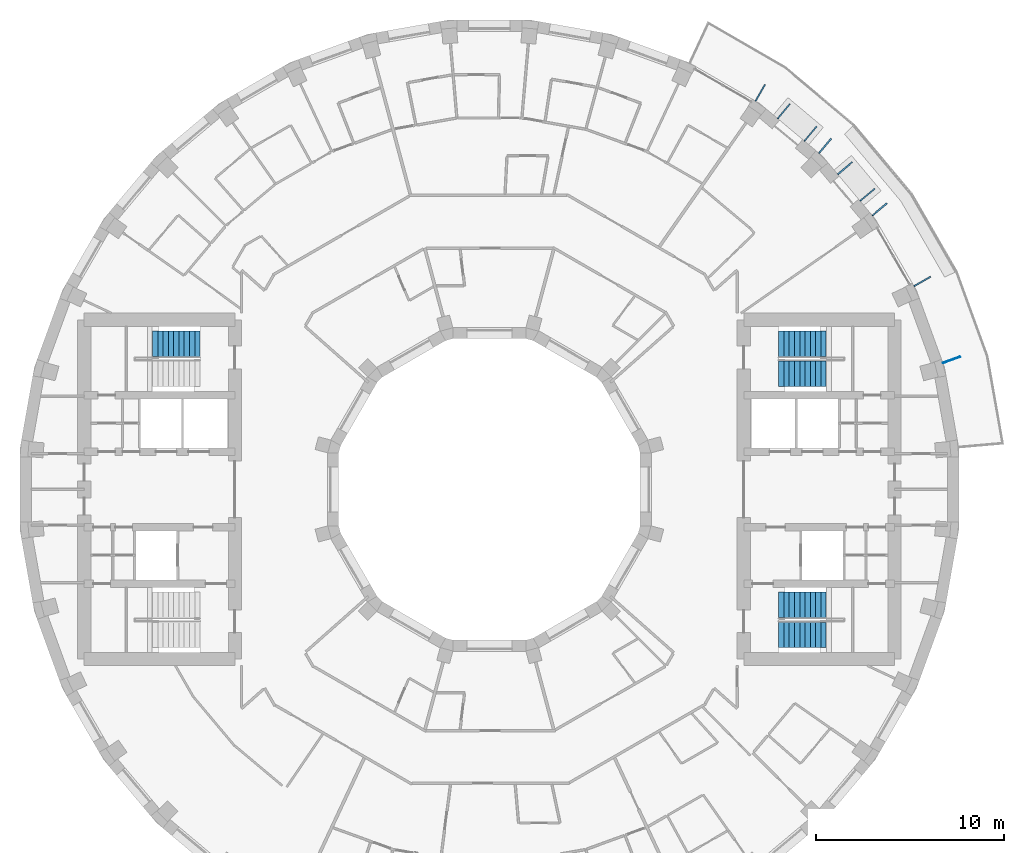
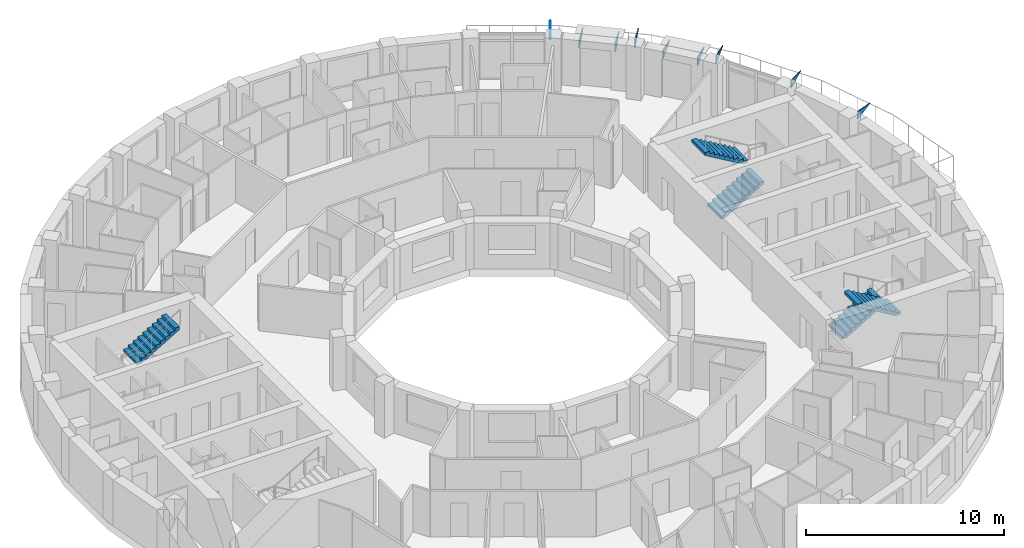
# One storey, part 14 of 15: 9 discrete accessories, 5 stair flights, 3 elements without a shape of their own.
"""IFC4 building model written with IfcOpenShell, lengths in metres."""

from ifc_helpers import new_model, si_unit, direction, frame, origin, place, context, subcontext, project, spatial, polyline, outline, extrude, material, layer, layer_set, type_object, element, aggregate, save


model = new_model("IFC4")

# Units and contexts
model_context = context("Model", 3, precision=1e-05, world=origin(), true_north=direction((0.0, 1.0)))
body_context = subcontext(model_context, "Body", "Model", "MODEL_VIEW")
ifc_project = project(units=[si_unit("LENGTHUNIT", "METRE"), si_unit("AREAUNIT", "SQUARE_METRE"), si_unit("VOLUMEUNIT", "CUBIC_METRE"), si_unit("PLANEANGLEUNIT", "RADIAN"), si_unit("MASSUNIT", "GRAM", prefix="KILO")], contexts=[model_context])

# Site, building, storey
site_placement = place(None, origin())
site = spatial("IfcSite", under=ifc_project, at=site_placement, CompositionType="ELEMENT")
building_placement = place(site_placement, origin())
building = spatial("IfcBuilding", under=site, at=building_placement, Name="Saqina Gate Tower", CompositionType="ELEMENT")
storey_placement = place(building_placement, frame((0.0, 0.0, 190.5)))
storey = spatial("IfcBuildingStorey", under=building, at=storey_placement, Name="L54", CompositionType="ELEMENT", Elevation=190.5)

# Stair, stair flights
ifc_material_1 = material(Name="Concrete C40/50", Category="concrete")
stair_type = type_object("IfcStairType", Name="EXIT STAIR", PredefinedType="HALF_TURN_STAIR", material=ifc_material_1)
stair_1_placement = place(storey_placement, origin())
stair_1 = element("IfcStair", 1, at=stair_1_placement, inside=storey, type_object=stair_type, Name="EXIT STAIR 1", PredefinedType="HALF_TURN_STAIR")
ifc_material_2 = material(Name="Concrete C40/50", Category="concrete")
stair_flight_type = type_object("IfcStairFlightType", Name="EXIT STAIR FLIGHT", PredefinedType="STRAIGHT", material=ifc_material_2)
stair_flight_1_placement = place(storey_placement, frame((15.35009765625, 6.125, 0.0), z_axis=(0.0, 0.0, 1.0), x_axis=(1.0, 0.0, 0.0)))
stair_flight_1 = element("IfcStairFlight", 2, at=stair_flight_1_placement, type_object=stair_flight_type, Name="EXIT STAIR 1 FLIGHT 1", NumberOfRisers=10, NumberOfTreads=9, PredefinedType="STRAIGHT", RiserHeight=0.165, TreadLength=0.28, context=body_context, shape_type="SweptSolid", body=[
    extrude(outline(polyline([(0.0, 0.0), (0.0, 0.1650390625), (0.280029296875, 0.1650390625), (0.280029296875, 0.330078125), (0.56005859375, 0.330078125), (0.56005859375, 0.4951171875), (0.840087890625, 0.4951171875), (0.840087890625, 0.659912109375), (1.1201171875, 0.659912109375), (1.1201171875, 0.824951171875), (1.39990234375, 0.824951171875), (1.39990234375, 0.989990234375), (1.679931640625, 0.989990234375), (1.679931640625, 1.155029296875), (1.9599609375, 1.155029296875), (1.9599609375, 1.320068359375), (2.239990234375, 1.320068359375), (2.239990234375, 1.485107421875), (2.52001953125, 1.485107421875), (2.52001953125, 1.64990234375), (2.52001953125, 1.31103515625), (0.295166015625, 0.0), (0.0, 0.0)])), frame((0.0, 0.675048828125, 0.0), z_axis=(0.0, -1.0, 0.0), x_axis=(1.0, 0.0, 0.0)), (0.0, 0.0, 1.0), 1.35009765625),
])
stair_flight_2_placement = place(storey_placement, frame((17.8701171875, 7.72509765625, 1.64990234375), z_axis=(0.0, 0.0, 1.0), x_axis=(-1.0, 0.0, 0.0)))
stair_flight_2 = element("IfcStairFlight", 3, at=stair_flight_2_placement, type_object=stair_flight_type, Name="EXIT STAIR 1 FLIGHT 2", NumberOfRisers=10, NumberOfTreads=9, PredefinedType="STRAIGHT", RiserHeight=0.165, TreadLength=0.28, context=body_context, shape_type="SweptSolid", body=[
    extrude(outline(polyline([(0.0, 0.0), (0.0, 0.1650390625), (0.280029296875, 0.1650390625), (0.280029296875, 0.330078125), (0.56005859375, 0.330078125), (0.56005859375, 0.4951171875), (0.840087890625, 0.4951171875), (0.840087890625, 0.659912109375), (1.1201171875, 0.659912109375), (1.1201171875, 0.824951171875), (1.39990234375, 0.824951171875), (1.39990234375, 0.989990234375), (1.679931640625, 0.989990234375), (1.679931640625, 1.155029296875), (1.9599609375, 1.155029296875), (1.9599609375, 1.320068359375), (2.239990234375, 1.320068359375), (2.239990234375, 1.485107421875), (2.52001953125, 1.485107421875), (2.52001953125, 1.64990234375), (2.52001953125, 1.31103515625), (0.295166015625, 0.0), (0.0, 0.0)])), frame((0.0, 0.675048828125, 0.0), z_axis=(0.0, -1.0, 0.0), x_axis=(1.0, 0.0, 0.0)), (0.0, 0.0, 1.0), 1.35009765625),
])
aggregate(stair_1, [stair_flight_1, stair_flight_2])

stair_2_placement = place(storey_placement, origin())
stair_2 = element("IfcStair", 4, at=stair_2_placement, inside=storey, type_object=stair_type, Name="EXIT STAIR 2", PredefinedType="HALF_TURN_STAIR")
stair_flight_3_placement = place(storey_placement, frame((15.35009765625, -6.125, 0.0), z_axis=(0.0, 0.0, 1.0), x_axis=(1.0, 0.0, 0.0)))
stair_flight_3 = element("IfcStairFlight", 5, at=stair_flight_3_placement, type_object=stair_flight_type, Name="EXIT STAIR 2 FLIGHT 1", NumberOfRisers=10, NumberOfTreads=9, PredefinedType="STRAIGHT", RiserHeight=0.165, TreadLength=0.28, context=body_context, shape_type="SweptSolid", body=[
    extrude(outline(polyline([(0.0, 0.0), (0.0, 0.1650390625), (0.280029296875, 0.1650390625), (0.280029296875, 0.330078125), (0.56005859375, 0.330078125), (0.56005859375, 0.4951171875), (0.840087890625, 0.4951171875), (0.840087890625, 0.659912109375), (1.1201171875, 0.659912109375), (1.1201171875, 0.824951171875), (1.39990234375, 0.824951171875), (1.39990234375, 0.989990234375), (1.679931640625, 0.989990234375), (1.679931640625, 1.155029296875), (1.9599609375, 1.155029296875), (1.9599609375, 1.320068359375), (2.239990234375, 1.320068359375), (2.239990234375, 1.485107421875), (2.52001953125, 1.485107421875), (2.52001953125, 1.64990234375), (2.52001953125, 1.31103515625), (0.295166015625, 0.0), (0.0, 0.0)])), frame((0.0, 0.675048828125, 0.0), z_axis=(0.0, -1.0, 0.0), x_axis=(1.0, 0.0, 0.0)), (0.0, 0.0, 1.0), 1.35009765625),
])
stair_flight_4_placement = place(storey_placement, frame((17.8701171875, -7.72509765625, 1.64990234375), z_axis=(0.0, 0.0, 1.0), x_axis=(-1.0, 0.0, 0.0)))
stair_flight_4 = element("IfcStairFlight", 6, at=stair_flight_4_placement, type_object=stair_flight_type, Name="EXIT STAIR 2 FLIGHT 2", NumberOfRisers=10, NumberOfTreads=9, PredefinedType="STRAIGHT", RiserHeight=0.165, TreadLength=0.28, context=body_context, shape_type="SweptSolid", body=[
    extrude(outline(polyline([(0.0, 0.0), (0.0, 0.1650390625), (0.280029296875, 0.1650390625), (0.280029296875, 0.330078125), (0.56005859375, 0.330078125), (0.56005859375, 0.4951171875), (0.840087890625, 0.4951171875), (0.840087890625, 0.659912109375), (1.1201171875, 0.659912109375), (1.1201171875, 0.824951171875), (1.39990234375, 0.824951171875), (1.39990234375, 0.989990234375), (1.679931640625, 0.989990234375), (1.679931640625, 1.155029296875), (1.9599609375, 1.155029296875), (1.9599609375, 1.320068359375), (2.239990234375, 1.320068359375), (2.239990234375, 1.485107421875), (2.52001953125, 1.485107421875), (2.52001953125, 1.64990234375), (2.52001953125, 1.31103515625), (0.295166015625, 0.0), (0.0, 0.0)])), frame((0.0, 0.675048828125, 0.0), z_axis=(0.0, -1.0, 0.0), x_axis=(1.0, 0.0, 0.0)), (0.0, 0.0, 1.0), 1.35009765625),
])
aggregate(stair_2, [stair_flight_3, stair_flight_4])

# Stair, stair flight
stair_3_placement = place(storey_placement, origin())
stair_3 = element("IfcStair", 7, at=stair_3_placement, inside=storey, type_object=stair_type, Name="EXIT STAIR 3", PredefinedType="HALF_TURN_STAIR")
stair_flight_5_placement = place(storey_placement, frame((-17.8701171875, 7.72509765625, 1.64990234375), z_axis=(0.0, 0.0, 1.0), x_axis=(1.0, 0.0, 0.0)))
stair_flight_5 = element("IfcStairFlight", 8, at=stair_flight_5_placement, type_object=stair_flight_type, Name="EXIT STAIR 3 FLIGHT 2", NumberOfRisers=10, NumberOfTreads=9, PredefinedType="STRAIGHT", RiserHeight=0.165, TreadLength=0.28, context=body_context, shape_type="SweptSolid", body=[
    extrude(outline(polyline([(0.0, 0.0), (0.0, 0.1650390625), (0.280029296875, 0.1650390625), (0.280029296875, 0.330078125), (0.56005859375, 0.330078125), (0.56005859375, 0.4951171875), (0.840087890625, 0.4951171875), (0.840087890625, 0.659912109375), (1.1201171875, 0.659912109375), (1.1201171875, 0.824951171875), (1.39990234375, 0.824951171875), (1.39990234375, 0.989990234375), (1.679931640625, 0.989990234375), (1.679931640625, 1.155029296875), (1.9599609375, 1.155029296875), (1.9599609375, 1.320068359375), (2.239990234375, 1.320068359375), (2.239990234375, 1.485107421875), (2.52001953125, 1.485107421875), (2.52001953125, 1.64990234375), (2.52001953125, 1.31103515625), (0.295166015625, 0.0), (0.0, 0.0)])), frame((0.0, 0.675048828125, 0.0), z_axis=(0.0, -1.0, 0.0), x_axis=(1.0, 0.0, 0.0)), (0.0, 0.0, 1.0), 1.35009765625),
])
aggregate(stair_3, [stair_flight_5])

# Discrete accessories
ifc_material_3 = material(Name="Galvanised steel", Category="steel")
ifc_layer_1 = layer(ifc_material_3, 0.050048828125)
ifc_layer_set_1 = layer_set([ifc_layer_1], Name="BR-AWNING")
discrete_accessory_type_1 = type_object("IfcDiscreteAccessoryType", Name="BR-AWNING", PredefinedType="BRACKET", material=ifc_layer_set_1)
for number, where, z_axis, x_axis, name in (
    (9, (19.65673828125, 15.319091796875, 1.97509765625), (-0.642894271969, 0.765954930181, 0.0), (0.0, 0.0, 1.0), "Awning bracket L54 facet 4"),
    (10, (18.4677734375, 16.736083984375, 1.97509765625), (-0.642894271969, 0.765954930181, 0.0), (0.0, 0.0, 1.0), "Awning bracket L54 facet 4"),
):
    element("IfcDiscreteAccessory", number, at=place(storey_placement, frame(where, z_axis=z_axis, x_axis=x_axis)), inside=storey, type_object=discrete_accessory_type_1, Name=name, PredefinedType="BRACKET", context=body_context, shape_type="SweptSolid", body=[
        extrude(outline(polyline([(0.0, 0.0), (0.5498046875, 0.0), (0.5498046875, 0.9998879966000863), (0.0, 0.0)])), origin(), (0.0, 0.0, -1.0), 0.050048828125),
    ])
discrete_accessory_1_placement = place(storey_placement, frame((16.697998046875, 18.499755859375, 1.97509765625), z_axis=(-0.766055819685, 0.64277405138, 0.0), x_axis=(0.0, 0.0, 1.0)))
element("IfcDiscreteAccessory", 11, at=discrete_accessory_1_placement, inside=storey, type_object=discrete_accessory_type_1, Name="Awning bracket L54 facet 5", PredefinedType="BRACKET", context=body_context, shape_type="SweptSolid", body=[
    extrude(outline(polyline([(0.0, 0.0), (0.5498046875, 0.0), (0.5498046875, 1.0000750096322273), (0.0, 0.0)])), origin(), (0.0, 0.0, -1.0), 0.050048828125),
])
discrete_accessory_2_placement = place(storey_placement, frame((15.281005859375, 19.688720703125, 1.97509765625), z_axis=(-0.766176031171, 0.642630756546, 0.0), x_axis=(0.0, 0.0, 1.0)))
element("IfcDiscreteAccessory", 12, at=discrete_accessory_2_placement, inside=storey, type_object=discrete_accessory_type_1, Name="Awning bracket L54 facet 5", PredefinedType="BRACKET", context=body_context, shape_type="SweptSolid", body=[
    extrude(outline(polyline([(0.0, 0.0), (0.5498046875, 0.0), (0.5498046875, 0.9999180998642624), (0.0, 0.0)])), origin(), (0.0, 0.0, -1.0), 0.050048828125),
])
ifc_material_4 = material(Name="Galvanised steel", Category="steel")
ifc_layer_2 = layer(ifc_material_4, 0.050048828125)
ifc_layer_set_2 = layer_set([ifc_layer_2], Name="BR-GUSSET")
discrete_accessory_type_2 = type_object("IfcDiscreteAccessoryType", Name="BR-GUSSET", PredefinedType="BRACKET", material=ifc_layer_set_2)
discrete_accessory_3_placement = place(storey_placement, frame((24.05419921875, 6.72900390625, 2.35009765625), z_axis=(-0.341821477669, 0.939764905391, 0.0), x_axis=(0.0, 0.0, 1.0)))
element("IfcDiscreteAccessory", 13, at=discrete_accessory_3_placement, inside=storey, type_object=discrete_accessory_type_2, Name="Terrace slab bracket L55 1", PredefinedType="BRACKET", context=body_context, shape_type="SweptSolid", body=[
    extrude(outline(polyline([(0.0, 0.0), (0.5, 0.0), (0.5, 0.999928024801219), (0.0, 0.0)])), origin(), (0.0, 0.0, -1.0), 0.050048828125),
])
discrete_accessory_4_placement = place(storey_placement, frame((22.520263671875, 10.8037109375, 2.35009765625), z_axis=(-0.50002537861, 0.866010750942, 0.0), x_axis=(0.0, 0.0, 1.0)))
element("IfcDiscreteAccessory", 14, at=discrete_accessory_4_placement, inside=storey, type_object=discrete_accessory_type_2, Name="Terrace slab bracket L55 2", PredefinedType="BRACKET", context=body_context, shape_type="SweptSolid", body=[
    extrude(outline(polyline([(0.0, 0.0), (0.5, 0.0), (0.5, 0.9999492453569568), (0.0, 0.0)])), origin(), (0.0, 0.0, -1.0), 0.050048828125),
])
for number, where, z_axis, x_axis, name in (
    (15, (20.302001953125, 14.550048828125, 2.35009765625), (-0.64277405138, 0.766055819685, 0.0), (0.0, 0.0, 1.0), "Terrace slab bracket L55 3"),
    (16, (17.467041015625, 17.8544921875, 2.35009765625), (-0.766055819685, 0.64277405138, 0.0), (0.0, 0.0, 1.0), "Terrace slab bracket L55 4"),
):
    element("IfcDiscreteAccessory", number, at=place(storey_placement, frame(where, z_axis=z_axis, x_axis=x_axis)), inside=storey, type_object=discrete_accessory_type_2, Name=name, PredefinedType="BRACKET", context=body_context, shape_type="SweptSolid", body=[
        extrude(outline(polyline([(0.0, 0.0), (0.5, 0.0), (0.5, 1.0000750096322275), (0.0, 0.0)])), origin(), (0.0, 0.0, -1.0), 0.050048828125),
    ])
discrete_accessory_5_placement = place(storey_placement, frame((14.101318359375, 20.6162109375, 2.35009765625), z_axis=(-0.866071776036, 0.499919672301, 0.0), x_axis=(0.0, 0.0, 1.0)))
element("IfcDiscreteAccessory", 17, at=discrete_accessory_5_placement, inside=storey, type_object=discrete_accessory_type_2, Name="Terrace slab bracket L55 5", PredefinedType="BRACKET", context=body_context, shape_type="SweptSolid", body=[
    extrude(outline(polyline([(0.0, 0.0), (0.5, 0.0), (0.5, 1.0001606812130883), (0.0, 0.0)])), origin(), (0.0, 0.0, -1.0), 0.050048828125),
])

save(model, "model.ifc")
